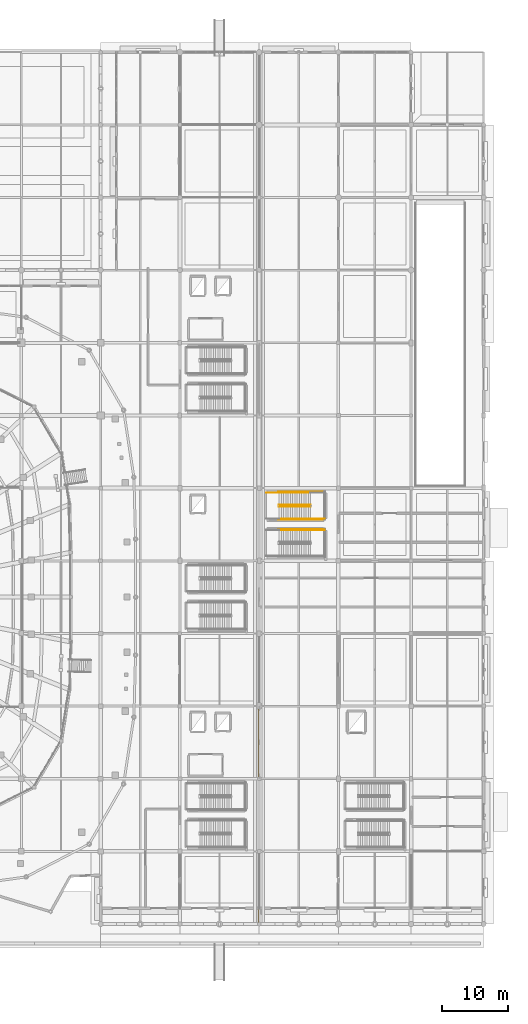
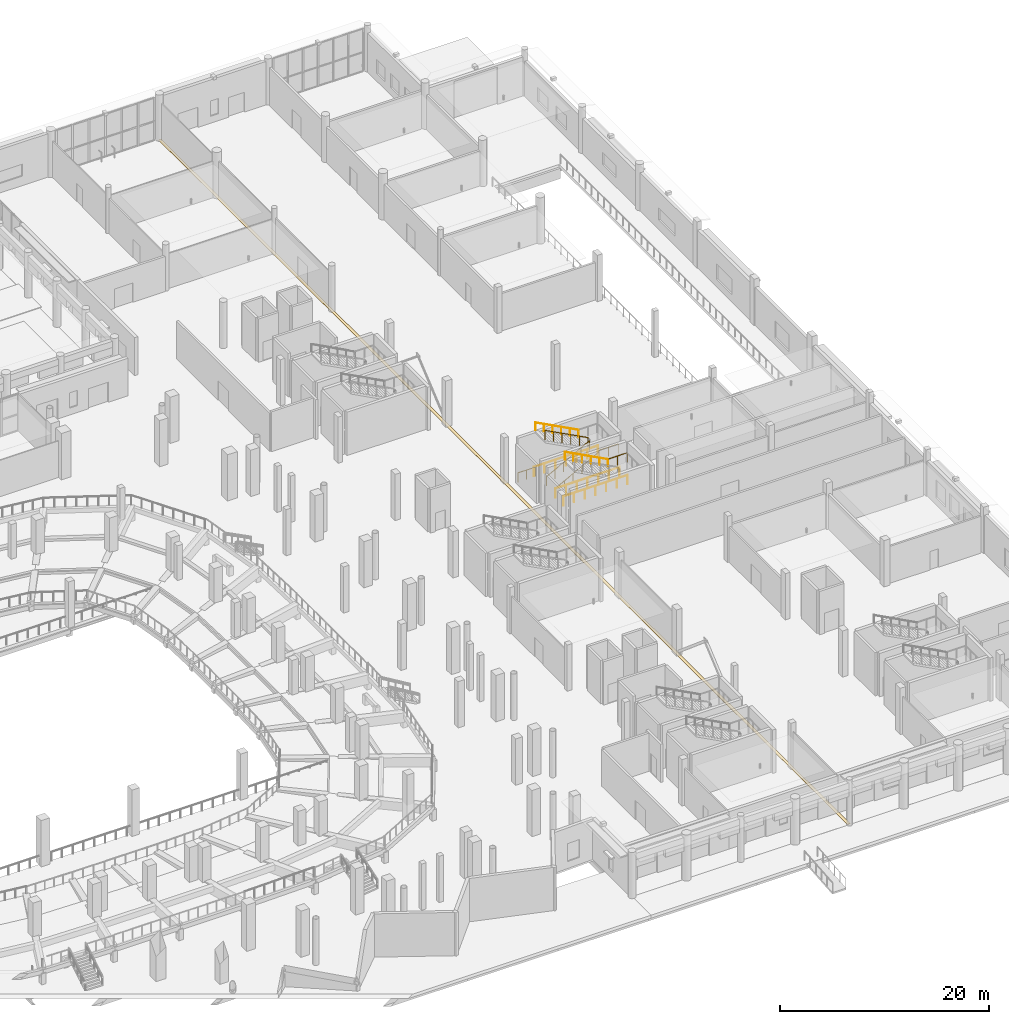
# One storey, part 117 of 120: 11 railings, 1 covering.
"""IFC4 building model written with IfcOpenShell, lengths in metres."""

from ifc_helpers import new_model, si_unit, direction, frame, origin, origin_2d, place, context, subcontext, project, spatial, rectangle, circle, extrude, material, layer, layer_set, type_object, element, save


model = new_model("IFC4")

# Units and contexts
model_context = context("Model", 3, precision=1e-05, world=origin(), true_north=direction((0.0, 1.0)))
body_context = subcontext(model_context, "Body", "Model", "MODEL_VIEW")
ifc_project = project(units=[si_unit("LENGTHUNIT", "METRE"), si_unit("AREAUNIT", "SQUARE_METRE"), si_unit("VOLUMEUNIT", "CUBIC_METRE"), si_unit("PLANEANGLEUNIT", "RADIAN"), si_unit("MASSUNIT", "GRAM", prefix="KILO")], contexts=[model_context])

# Site, building, storey
site_placement = place(None, origin())
site = spatial("IfcSite", under=ifc_project, at=site_placement, CompositionType="ELEMENT")
building_placement = place(site_placement, origin())
building = spatial("IfcBuilding", under=site, at=building_placement, Name="Luwafu Chhajja Arena", CompositionType="ELEMENT")
storey_placement = place(building_placement, origin())
storey = spatial("IfcBuildingStorey", under=building, at=storey_placement, Name="L00", CompositionType="ELEMENT", Elevation=0.0)

# Covering
ifc_material_1 = material(Name="Red laterite sandstone cladding", Category="masonry")
ifc_layer = layer(ifc_material_1, 0.074951171875, Name="Red laterite sandstone cladding")
ifc_layer_set = layer_set([ifc_layer], Name="Red laterite sandstone cladding")
covering_type = type_object("IfcCoveringType", Name="Dressed Red-Laterite Sandstone Cladding", PredefinedType="CLADDING", material=ifc_layer_set)
covering_placement = place(storey_placement, frame((164.0, 66.0, -0.02392578125), z_axis=(0.0, 0.0, 1.0), x_axis=(1.0, 0.0, 0.0)))
element("IfcCovering", 1, at=covering_placement, inside=storey, type_object=covering_type, Name="L00 Movement Joint MJ02 Flush Threshold Cover Plate 01", PredefinedType="CLADDING", context=body_context, shape_type="SweptSolid", body=[
    extrude(rectangle(XDim=0.320068359375, YDim=131.800048828125, at=origin_2d()), origin(), (0.0, 0.0, 1.0), 0.02392578125),
])

# Railings
ifc_material_2 = material(Name="Stainless steel handrail", Category="steel")
railing_type_1 = type_object("IfcRailingType", Name="Stair Pitch Wall Handrail 920", PredefinedType="HANDRAIL", material=ifc_material_2)
railing_1_placement = place(storey_placement, frame((171.780029296875, 59.639892578125, 2.8798828125)))
element("IfcRailing", 2, at=railing_1_placement, inside=storey, type_object=railing_type_1, Name="L00 ST-19 stair handrail 2", PredefinedType="HANDRAIL", context=body_context, shape_type="SweptSolid", body=[
    extrude(circle(Radius=0.02392578125, at=origin_2d()), frame((0.0, 0.0, 0.8759765625), z_axis=(-0.883786813738, 0.0, 0.467889803119), x_axis=(0.0, -1.0, 0.0)), (0.0, 0.0, 1.0), 5.385986328125),
    extrude(circle(Radius=0.02099609375, at=origin_2d()), origin(), (0.0, 0.0, 1.0), 0.851806640625),
    extrude(circle(Radius=0.02099609375, at=origin_2d()), frame((-0.951904296875, 0.0, 0.50390625)), (0.0, 0.0, 1.0), 0.851806640625),
    extrude(circle(Radius=0.02099609375, at=origin_2d()), frame((-1.904052734375, 0.0, 1.008056640625)), (0.0, 0.0, 1.0), 0.851806640625),
    extrude(circle(Radius=0.02099609375, at=origin_2d()), frame((-2.85595703125, 0.0, 1.511962890625)), (0.0, 0.0, 1.0), 0.851806640625),
    extrude(circle(Radius=0.02099609375, at=origin_2d()), frame((-3.80810546875, 0.0, 2.01611328125)), (0.0, 0.0, 1.0), 0.851806640625),
    extrude(circle(Radius=0.02099609375, at=origin_2d()), frame((-4.760009765625, 0.0, 2.52001953125)), (0.0, 0.0, 1.0), 0.851806640625),
])
railing_2_placement = place(storey_placement, frame((167.02001953125, 61.360107421875, 0.179931640625)))
element("IfcRailing", 3, at=railing_2_placement, inside=storey, type_object=railing_type_1, Name="L00 ST-20 stair handrail 1", PredefinedType="HANDRAIL", context=body_context, shape_type="SweptSolid", body=[
    extrude(circle(Radius=0.02392578125, at=origin_2d()), frame((0.0, 0.0, 0.8759765625), z_axis=(0.883786813738, 0.0, 0.467889803119), x_axis=(0.0, 1.0, 0.0)), (0.0, 0.0, 1.0), 5.385986328125),
    extrude(circle(Radius=0.02099609375, at=origin_2d()), origin(), (0.0, 0.0, 1.0), 0.851806640625),
    extrude(circle(Radius=0.02099609375, at=origin_2d()), frame((0.951904296875, 0.0, 0.50390625)), (0.0, 0.0, 1.0), 0.851806640625),
    extrude(circle(Radius=0.02099609375, at=origin_2d()), frame((1.904052734375, 0.0, 1.008056640625)), (0.0, 0.0, 1.0), 0.851806640625),
    extrude(circle(Radius=0.02099609375, at=origin_2d()), frame((2.85595703125, 0.0, 1.511962890625)), (0.0, 0.0, 1.0), 0.851806640625),
    extrude(circle(Radius=0.02099609375, at=origin_2d()), frame((3.80810546875, 0.0, 2.01611328125)), (0.0, 0.0, 1.0), 0.851806640625),
    extrude(circle(Radius=0.02099609375, at=origin_2d()), frame((4.760009765625, 0.0, 2.52001953125)), (0.0, 0.0, 1.0), 0.851806640625),
])
railing_3_placement = place(storey_placement, frame((171.780029296875, 65.300048828125, 2.8798828125)))
element("IfcRailing", 4, at=railing_3_placement, inside=storey, type_object=railing_type_1, Name="L00 ST-20 stair handrail 2", PredefinedType="HANDRAIL", context=body_context, shape_type="SweptSolid", body=[
    extrude(circle(Radius=0.02392578125, at=origin_2d()), frame((0.0, 0.0, 0.8759765625), z_axis=(-0.883786813738, 0.0, 0.467889803119), x_axis=(0.0, -1.0, 0.0)), (0.0, 0.0, 1.0), 5.385986328125),
    extrude(circle(Radius=0.02099609375, at=origin_2d()), origin(), (0.0, 0.0, 1.0), 0.851806640625),
    extrude(circle(Radius=0.02099609375, at=origin_2d()), frame((-0.951904296875, 0.0, 0.50390625)), (0.0, 0.0, 1.0), 0.851806640625),
    extrude(circle(Radius=0.02099609375, at=origin_2d()), frame((-1.904052734375, 0.0, 1.008056640625)), (0.0, 0.0, 1.0), 0.851806640625),
    extrude(circle(Radius=0.02099609375, at=origin_2d()), frame((-2.85595703125, 0.0, 1.511962890625)), (0.0, 0.0, 1.0), 0.851806640625),
    extrude(circle(Radius=0.02099609375, at=origin_2d()), frame((-3.80810546875, 0.0, 2.01611328125)), (0.0, 0.0, 1.0), 0.851806640625),
    extrude(circle(Radius=0.02099609375, at=origin_2d()), frame((-4.760009765625, 0.0, 2.52001953125)), (0.0, 0.0, 1.0), 0.851806640625),
])
ifc_material_3 = material(Name="Stainless steel balustrade", Category="steel")
railing_type_2 = type_object("IfcRailingType", Name="Stair and Terrace Guard Balustrade 1100", PredefinedType="BALUSTRADE", material=ifc_material_3)
railing_4_placement = place(storey_placement, frame((171.780029296875, 59.639892578125, 2.699951171875)))
element("IfcRailing", 5, at=railing_4_placement, inside=storey, type_object=railing_type_2, Name="L00 ST-19 stair guard 4", PredefinedType="BALUSTRADE", context=body_context, shape_type="SweptSolid", body=[
    extrude(circle(Radius=0.02392578125, at=origin_2d()), frame((0.0, 0.0, 1.076171875), z_axis=(1.0, 0.0, 0.0), x_axis=(0.0, 1.0, 0.0)), (0.0, 0.0, 1.0), 2.119873046875),
    extrude(circle(Radius=0.02099609375, at=origin_2d()), origin(), (0.0, 0.0, 1.0), 1.052001953125),
    extrude(circle(Radius=0.02099609375, at=origin_2d()), frame((1.06005859375, 0.0, 0.0)), (0.0, 0.0, 1.0), 1.052001953125),
    extrude(circle(Radius=0.02099609375, at=origin_2d()), frame((2.119873046875, 0.0, 0.0)), (0.0, 0.0, 1.0), 1.052001953125),
])
railing_5_placement = place(storey_placement, frame((166.919921875, 59.739990234375, 0.0)))
element("IfcRailing", 6, at=railing_5_placement, inside=storey, type_object=railing_type_2, Name="L00 ST-19 stair guard 11", PredefinedType="BALUSTRADE", context=body_context, shape_type="SweptSolid", body=[
    extrude(circle(Radius=0.02392578125, at=origin_2d()), frame((0.0, 0.0, 1.076171875), z_axis=(1.0, 0.0, 0.0), x_axis=(0.0, 1.0, 0.0)), (0.0, 0.0, 1.0), 7.080078125),
    extrude(circle(Radius=0.02099609375, at=origin_2d()), origin(), (0.0, 0.0, 1.0), 1.052001953125),
    extrude(circle(Radius=0.02099609375, at=origin_2d()), frame((1.179931640625, 0.0, 0.0)), (0.0, 0.0, 1.0), 1.052001953125),
    extrude(circle(Radius=0.02099609375, at=origin_2d()), frame((2.360107421875, 0.0, 0.0)), (0.0, 0.0, 1.0), 1.052001953125),
    extrude(circle(Radius=0.02099609375, at=origin_2d()), frame((3.5400390625, 0.0, 0.0)), (0.0, 0.0, 1.0), 1.052001953125),
    extrude(circle(Radius=0.02099609375, at=origin_2d()), frame((4.719970703125, 0.0, 0.0)), (0.0, 0.0, 1.0), 1.052001953125),
    extrude(circle(Radius=0.02099609375, at=origin_2d()), frame((5.900146484375, 0.0, 0.0)), (0.0, 0.0, 1.0), 1.052001953125),
    extrude(circle(Radius=0.02099609375, at=origin_2d()), frame((7.080078125, 0.0, 0.0)), (0.0, 0.0, 1.0), 1.052001953125),
])
railing_6_placement = place(storey_placement, frame((167.02001953125, 63.179931640625, 0.179931640625)))
element("IfcRailing", 7, at=railing_6_placement, inside=storey, type_object=railing_type_2, Name="L00 ST-20 stair guard 1", PredefinedType="BALUSTRADE", context=body_context, shape_type="SweptSolid", body=[
    extrude(circle(Radius=0.02392578125, at=origin_2d()), frame((0.0, 0.0, 1.076171875), z_axis=(0.883786813738, 0.0, 0.467889803119), x_axis=(0.0, 1.0, 0.0)), (0.0, 0.0, 1.0), 5.385986328125),
    extrude(circle(Radius=0.02099609375, at=origin_2d()), origin(), (0.0, 0.0, 1.0), 1.052001953125),
    extrude(circle(Radius=0.02099609375, at=origin_2d()), frame((0.951904296875, 0.0, 0.50390625)), (0.0, 0.0, 1.0), 1.052001953125),
    extrude(circle(Radius=0.02099609375, at=origin_2d()), frame((1.904052734375, 0.0, 1.008056640625)), (0.0, 0.0, 1.0), 1.052001953125),
    extrude(circle(Radius=0.02099609375, at=origin_2d()), frame((2.85595703125, 0.0, 1.511962890625)), (0.0, 0.0, 1.0), 1.052001953125),
    extrude(circle(Radius=0.02099609375, at=origin_2d()), frame((3.80810546875, 0.0, 2.01611328125)), (0.0, 0.0, 1.0), 1.052001953125),
    extrude(circle(Radius=0.02099609375, at=origin_2d()), frame((4.760009765625, 0.0, 2.52001953125)), (0.0, 0.0, 1.0), 1.052001953125),
])
railing_7_placement = place(storey_placement, frame((171.780029296875, 61.360107421875, 2.699951171875)))
element("IfcRailing", 8, at=railing_7_placement, inside=storey, type_object=railing_type_2, Name="L00 ST-20 stair guard 3", PredefinedType="BALUSTRADE", context=body_context, shape_type="SweptSolid", body=[
    extrude(circle(Radius=0.02392578125, at=origin_2d()), frame((0.0, 0.0, 1.076171875), z_axis=(1.0, 0.0, 0.0), x_axis=(0.0, 1.0, 0.0)), (0.0, 0.0, 1.0), 2.119873046875),
    extrude(circle(Radius=0.02099609375, at=origin_2d()), origin(), (0.0, 0.0, 1.0), 1.052001953125),
    extrude(circle(Radius=0.02099609375, at=origin_2d()), frame((1.06005859375, 0.0, 0.0)), (0.0, 0.0, 1.0), 1.052001953125),
    extrude(circle(Radius=0.02099609375, at=origin_2d()), frame((2.119873046875, 0.0, 0.0)), (0.0, 0.0, 1.0), 1.052001953125),
])
railing_8_placement = place(storey_placement, frame((171.780029296875, 63.47998046875, 2.8798828125)))
element("IfcRailing", 9, at=railing_8_placement, inside=storey, type_object=railing_type_2, Name="L00 ST-20 stair guard 6", PredefinedType="BALUSTRADE", context=body_context, shape_type="SweptSolid", body=[
    extrude(circle(Radius=0.02392578125, at=origin_2d()), frame((0.0, 0.0, 1.076171875), z_axis=(-0.883786813738, 0.0, 0.467889803119), x_axis=(0.0, -1.0, 0.0)), (0.0, 0.0, 1.0), 5.385986328125),
    extrude(circle(Radius=0.02099609375, at=origin_2d()), origin(), (0.0, 0.0, 1.0), 1.052001953125),
    extrude(circle(Radius=0.02099609375, at=origin_2d()), frame((-0.951904296875, 0.0, 0.50390625)), (0.0, 0.0, 1.0), 1.052001953125),
    extrude(circle(Radius=0.02099609375, at=origin_2d()), frame((-1.904052734375, 0.0, 1.008056640625)), (0.0, 0.0, 1.0), 1.052001953125),
    extrude(circle(Radius=0.02099609375, at=origin_2d()), frame((-2.85595703125, 0.0, 1.511962890625)), (0.0, 0.0, 1.0), 1.052001953125),
    extrude(circle(Radius=0.02099609375, at=origin_2d()), frame((-3.80810546875, 0.0, 2.01611328125)), (0.0, 0.0, 1.0), 1.052001953125),
    extrude(circle(Radius=0.02099609375, at=origin_2d()), frame((-4.760009765625, 0.0, 2.52001953125)), (0.0, 0.0, 1.0), 1.052001953125),
])
railing_9_placement = place(storey_placement, frame((165.10009765625, 65.300048828125, 0.0)))
element("IfcRailing", 10, at=railing_9_placement, inside=storey, type_object=railing_type_2, Name="L00 ST-20 stair guard 9", PredefinedType="BALUSTRADE", context=body_context, shape_type="SweptSolid", body=[
    extrude(circle(Radius=0.02392578125, at=origin_2d()), frame((0.0, 0.0, 1.076171875), z_axis=(1.0, 0.0, 0.0), x_axis=(0.0, 1.0, 0.0)), (0.0, 0.0, 1.0), 1.919921875),
    extrude(circle(Radius=0.02099609375, at=origin_2d()), origin(), (0.0, 0.0, 1.0), 1.052001953125),
    extrude(circle(Radius=0.02099609375, at=origin_2d()), frame((0.9599609375, 0.0, 0.0)), (0.0, 0.0, 1.0), 1.052001953125),
    extrude(circle(Radius=0.02099609375, at=origin_2d()), frame((1.919921875, 0.0, 0.0)), (0.0, 0.0, 1.0), 1.052001953125),
])
for number, where, name in (
    (11, (166.919921875, 61.260009765625, 0.0), "L00 ST-20 stair guard 10"),
    (12, (166.919921875, 65.39990234375, 0.0), "L00 ST-20 stair guard 11"),
):
    element("IfcRailing", number, at=place(storey_placement, frame(where)), inside=storey, type_object=railing_type_2, Name=name, PredefinedType="BALUSTRADE", context=body_context, shape_type="SweptSolid", body=[
        extrude(circle(Radius=0.02392578125, at=origin_2d()), frame((0.0, 0.0, 1.076171875), z_axis=(1.0, 0.0, 0.0), x_axis=(0.0, 1.0, 0.0)), (0.0, 0.0, 1.0), 7.080078125),
        extrude(circle(Radius=0.02099609375, at=origin_2d()), origin(), (0.0, 0.0, 1.0), 1.052001953125),
        extrude(circle(Radius=0.02099609375, at=origin_2d()), frame((1.179931640625, 0.0, 0.0)), (0.0, 0.0, 1.0), 1.052001953125),
        extrude(circle(Radius=0.02099609375, at=origin_2d()), frame((2.360107421875, 0.0, 0.0)), (0.0, 0.0, 1.0), 1.052001953125),
        extrude(circle(Radius=0.02099609375, at=origin_2d()), frame((3.5400390625, 0.0, 0.0)), (0.0, 0.0, 1.0), 1.052001953125),
        extrude(circle(Radius=0.02099609375, at=origin_2d()), frame((4.719970703125, 0.0, 0.0)), (0.0, 0.0, 1.0), 1.052001953125),
        extrude(circle(Radius=0.02099609375, at=origin_2d()), frame((5.900146484375, 0.0, 0.0)), (0.0, 0.0, 1.0), 1.052001953125),
        extrude(circle(Radius=0.02099609375, at=origin_2d()), frame((7.080078125, 0.0, 0.0)), (0.0, 0.0, 1.0), 1.052001953125),
    ])

save(model, "model.ifc")
